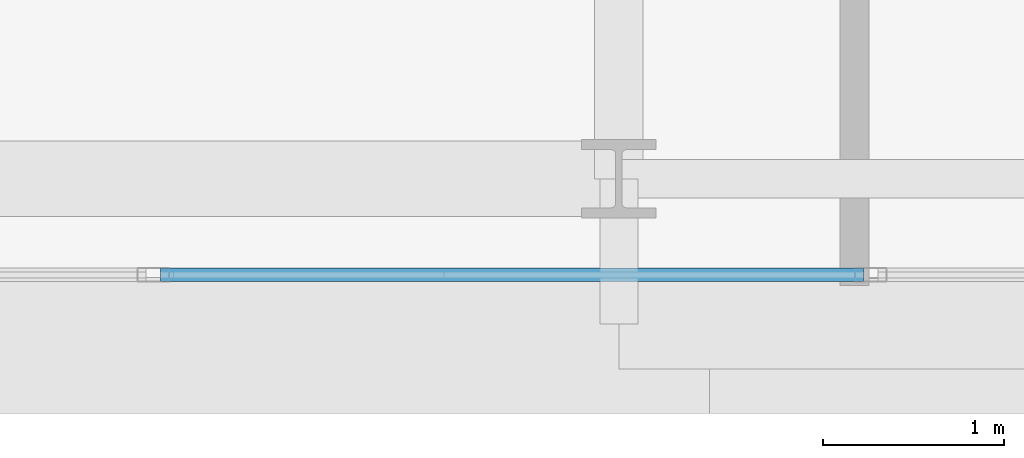
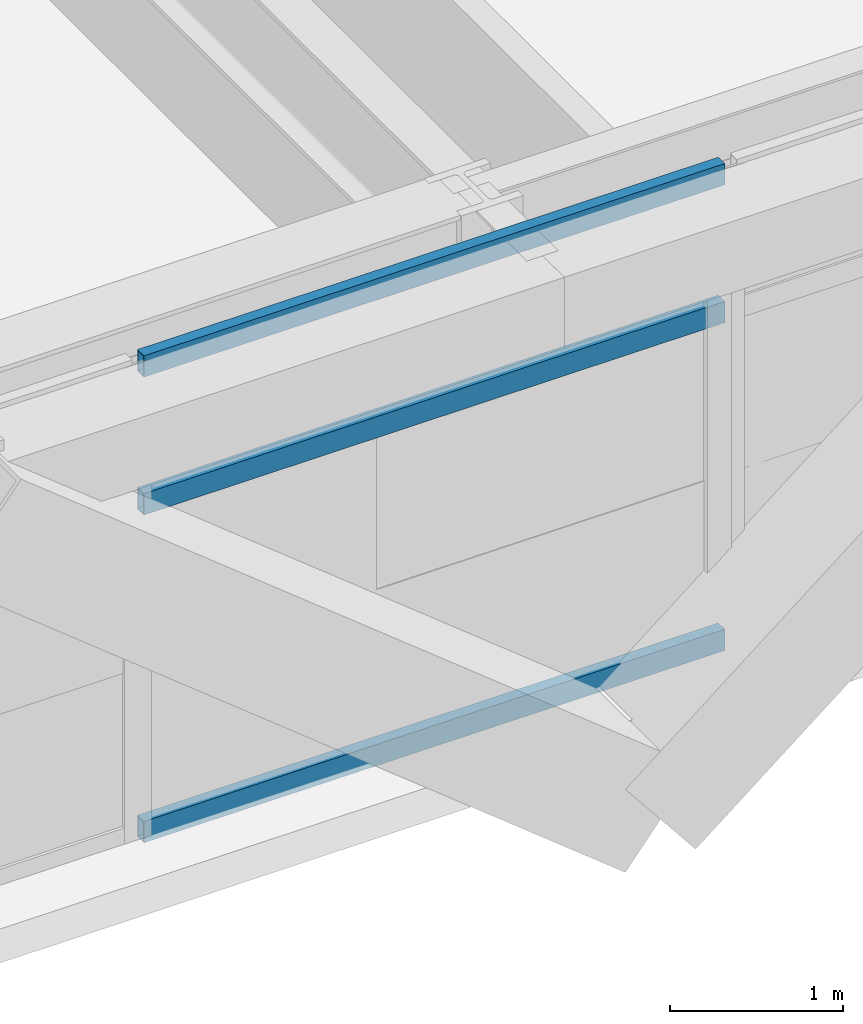
# One storey, part 6 of 39: 3 members, 1 element without a shape of its own.
"""IFC4 building model written with IfcOpenShell, lengths in metres."""

from ifc_helpers import new_model, si_unit, direction, frame, origin, origin_2d, place, context, subcontext, project, spatial, hollow_rectangle, extrude, source, transform, mapped, material, layer, layer_set, material_profile, profile_set, type_object, element, aggregate, save


model = new_model("IFC4")

# Units and contexts
model_context = context("Model", 3, precision=1e-05, world=origin(), true_north=direction((0.0, 1.0)))
body_context = subcontext(model_context, "Body", "Model", "MODEL_VIEW")
ifc_project = project(units=[si_unit("LENGTHUNIT", "METRE"), si_unit("AREAUNIT", "SQUARE_METRE"), si_unit("VOLUMEUNIT", "CUBIC_METRE"), si_unit("PLANEANGLEUNIT", "RADIAN"), si_unit("MASSUNIT", "GRAM", prefix="KILO")], contexts=[model_context])

# Site, building, storey
site_placement = place(None, origin())
site = spatial("IfcSite", under=ifc_project, at=site_placement, CompositionType="ELEMENT")
building_placement = place(site_placement, origin())
building = spatial("IfcBuilding", under=site, at=building_placement, Name="Ocotamira Hotel", CompositionType="ELEMENT")
storey_placement = place(building_placement, frame((0.0, 0.0, 126.0)))
storey = spatial("IfcBuildingStorey", under=building, at=storey_placement, Name="L31", CompositionType="ELEMENT", Elevation=126.0)

# Curtain wall, members
ifc_material_1 = material(Name="Anodised pale-metal aluminium and solar glass", Category="aluminium")
ifc_layer = layer(ifc_material_1, 0.179931640625)
ifc_layer_set = layer_set([ifc_layer], Name="Anodised pale-metal aluminium and solar glass")
curtain_wall_type = type_object("IfcCurtainWallType", Name="CW-SYS3-Z2", PredefinedType="NOTDEFINED", material=ifc_layer_set)
curtain_wall_placement = place(storey_placement, origin())
curtain_wall = element("IfcCurtainWall", 1, at=curtain_wall_placement, inside=storey, type_object=curtain_wall_type, Name="L31 Curtain Wall CW-3 CW-L31-S1", PredefinedType="NOTDEFINED")
ifc_material_2 = material(Name="Anodised pale-metal aluminium 6063-T6", Category="aluminium")
ifc_material_profile = material_profile(ifc_material_2, hollow_rectangle(XDim=0.074951171875, YDim=0.14990234375, WallThickness=0.006103515625, at=origin_2d()), Name="HSS150X75X6")
ifc_profile_set = profile_set([ifc_material_profile], Name="Anodised pale-metal aluminium 6063-T6")
member_type = type_object("IfcMemberType", Name="CWT-150X75", PredefinedType="USERDEFINED", material=ifc_profile_set)
shared_shape = source(origin(), body_context, "Body", "SweptSolid", [
    extrude(hollow_rectangle(XDim=0.074951171875, YDim=0.14990234375, WallThickness=0.006103515625, at=origin_2d()), origin(), (0.0, 0.0, 1.0), 3.87548828125),
])
member_1_placement = place(storey_placement, frame((37.973388671875, 2.419921875, 0.03759765625), z_axis=(1.0, 0.0, 0.0), x_axis=(0.0, 1.0, 0.0)))
member_1 = element("IfcMember", 2, at=member_1_placement, type_object=member_type, Name="CW-3 transom 7.1", ObjectType="TRANSOM", PredefinedType="USERDEFINED", context=body_context, shape_type="MappedRepresentation", body=[
    mapped(shared_shape, transform((0.0, 0.0, 0.0), scale=1.0)),
])
member_2_placement = place(storey_placement, frame((37.973388671875, 2.419921875, 2.35009765625), z_axis=(1.0, 0.0, 0.0), x_axis=(0.0, 1.0, 0.0)))
member_2 = element("IfcMember", 3, at=member_2_placement, type_object=member_type, Name="CW-3 transom 7.2", ObjectType="TRANSOM", PredefinedType="USERDEFINED", context=body_context, shape_type="MappedRepresentation", body=[
    mapped(shared_shape, transform((0.0, 0.0, 0.0), scale=1.0)),
])
member_3_placement = place(storey_placement, frame((37.973388671875, 2.419921875, 3.322509765625), z_axis=(1.0, 0.0, 0.0), x_axis=(0.0, 1.0, 0.0)))
member_3 = element("IfcMember", 4, at=member_3_placement, type_object=member_type, Name="CW-3 transom 7.3", ObjectType="TRANSOM", PredefinedType="USERDEFINED", context=body_context, shape_type="MappedRepresentation", body=[
    mapped(shared_shape, transform((0.0, 0.0, 0.0), scale=1.0)),
])
aggregate(curtain_wall, [member_1, member_2, member_3])

save(model, "model.ifc")
